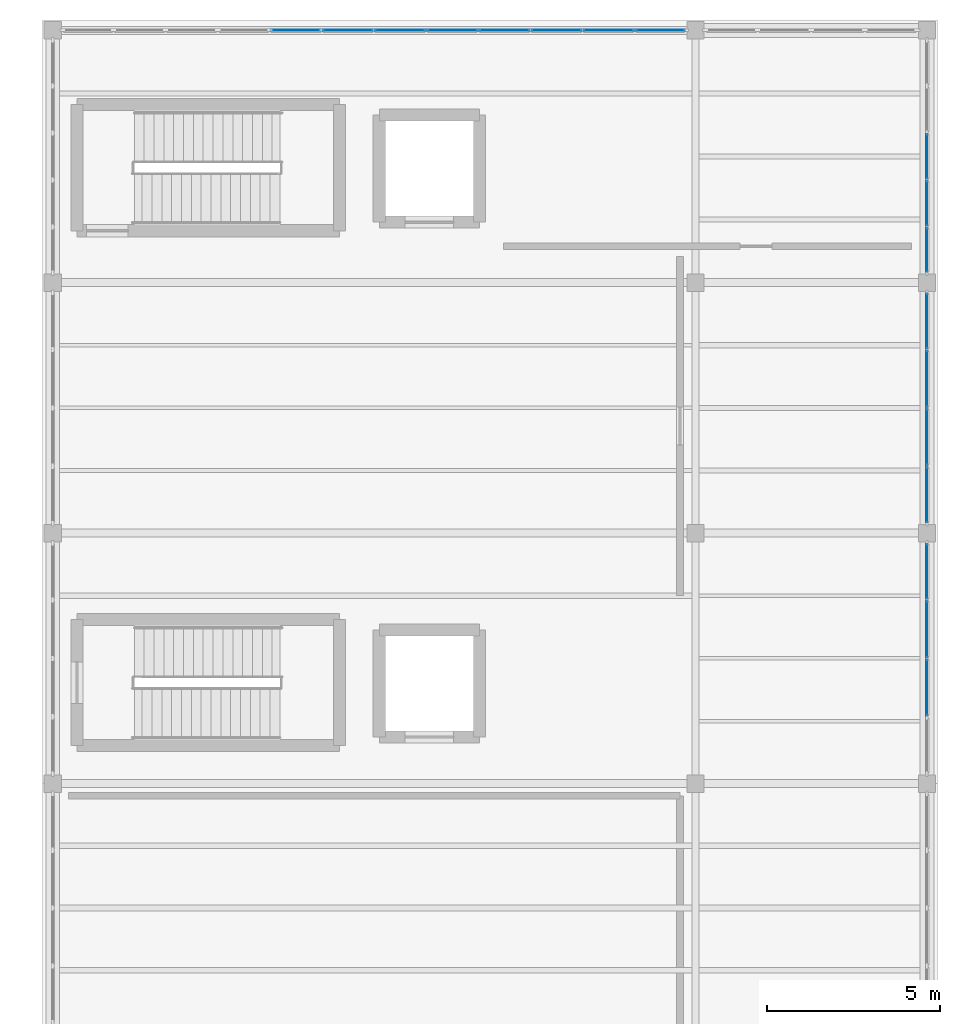
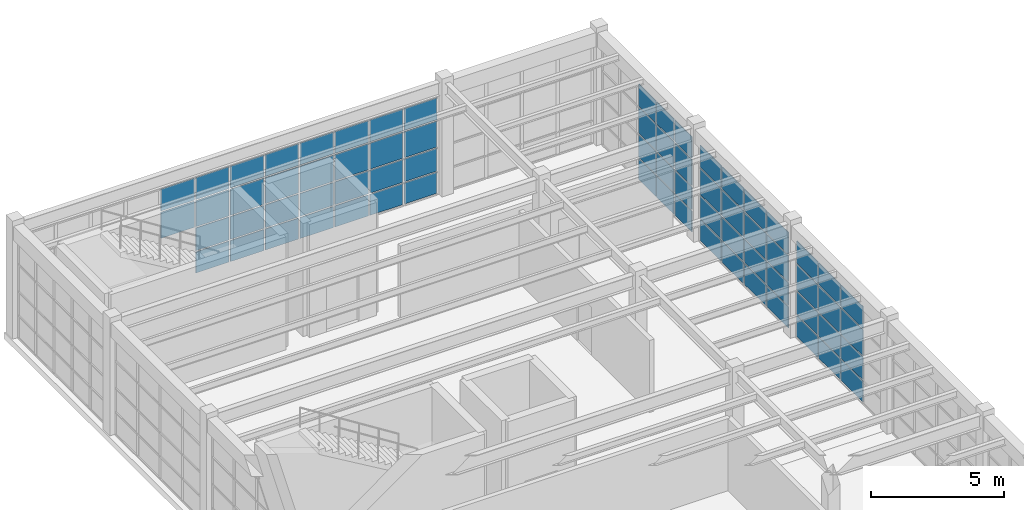
# One storey, part 83 of 103: 70 plates, 4 elements without a shape of their own.
"""IFC4 building model written with IfcOpenShell, lengths in metres."""

from ifc_helpers import new_model, si_unit, direction, frame, origin, origin_2d, place, context, subcontext, project, spatial, rectangle, extrude, material, layer, layer_set, type_object, element, aggregate, save


model = new_model("IFC4")

# Units and contexts
model_context = context("Model", 3, precision=1e-05, world=origin(), true_north=direction((0.0, 1.0)))
body_context = subcontext(model_context, "Body", "Model", "MODEL_VIEW")
ifc_project = project(units=[si_unit("LENGTHUNIT", "METRE"), si_unit("AREAUNIT", "SQUARE_METRE"), si_unit("VOLUMEUNIT", "CUBIC_METRE"), si_unit("PLANEANGLEUNIT", "RADIAN"), si_unit("MASSUNIT", "GRAM", prefix="KILO")], contexts=[model_context])

# Site, building, storey
site_placement = place(None, origin())
site = spatial("IfcSite", under=ifc_project, at=site_placement, CompositionType="ELEMENT")
building_placement = place(site_placement, origin())
building = spatial("IfcBuilding", under=site, at=building_placement, Name="Candilejo Ridge Gondola Terminal", CompositionType="ELEMENT")
storey_placement = place(building_placement, frame((0.0, 0.0, 9.0)))
storey = spatial("IfcBuildingStorey", under=building, at=storey_placement, Name="L02", CompositionType="ELEMENT", Elevation=9.0)

# Curtain wall, plates
ifc_material_1 = material(Name="Anodised aluminium AA 6063-T6", Category="aluminium")
ifc_layer_1 = layer(ifc_material_1, 0.169921875)
ifc_layer_set_1 = layer_set([ifc_layer_1], Name="ARC-CW-TOWER-3000-675X449")
curtain_wall_type_1 = type_object("IfcCurtainWallType", Name="ARC-CW-TOWER-3000-675X449", PredefinedType="NOTDEFINED", material=ifc_layer_set_1)
curtain_wall_1_placement = place(storey_placement, origin())
curtain_wall_1 = element("IfcCurtainWall", 1, at=curtain_wall_1_placement, inside=storey, type_object=curtain_wall_type_1, Name="Curtain wall V5 L02-187", PredefinedType="NOTDEFINED")
ifc_material_2 = material(Name="Low-E laminated double glazing 6+12A+6+1.52PVB+6 mm", Category="glass")
ifc_layer_2 = layer(ifc_material_2, 0.028076171875)
ifc_layer_set_2 = layer_set([ifc_layer_2], Name="ARC-CW-GLAZ-PANEL")
plate_type = type_object("IfcPlateType", Name="ARC-CW-GLAZ-PANEL", PredefinedType="CURTAIN_PANEL", material=ifc_layer_set_2)
plate_1_placement = place(storey_placement, frame((175.300048828125, 101.831298828125, 0.06005859375), z_axis=(0.0, 0.0, 1.0), x_axis=(0.0, 1.0, 0.0)))
plate_1 = element("IfcPlate", 2, at=plate_1_placement, type_object=plate_type, Name="CW-67X44 panel 2.1", PredefinedType="CURTAIN_PANEL", context=body_context, shape_type="SweptSolid", body=[
    extrude(rectangle(XDim=1.62255859375, YDim=0.028076171875, at=origin_2d()), origin(), (0.0, 0.0, 1.0), 0.9599609375),
])
plate_2_placement = place(storey_placement, frame((175.300048828125, 101.831298828125, 1.080078125), z_axis=(0.0, 0.0, 1.0), x_axis=(0.0, 1.0, 0.0)))
plate_2 = element("IfcPlate", 3, at=plate_2_placement, type_object=plate_type, Name="CW-67X44 panel 2.2", PredefinedType="CURTAIN_PANEL", context=body_context, shape_type="SweptSolid", body=[
    extrude(rectangle(XDim=1.62255859375, YDim=0.028076171875, at=origin_2d()), origin(), (0.0, 0.0, 1.0), 1.0400390625),
])
plate_3_placement = place(storey_placement, frame((175.300048828125, 101.831298828125, 2.179931640625), z_axis=(0.0, 0.0, 1.0), x_axis=(0.0, 1.0, 0.0)))
plate_3 = element("IfcPlate", 4, at=plate_3_placement, type_object=plate_type, Name="CW-67X44 panel 2.3", PredefinedType="CURTAIN_PANEL", context=body_context, shape_type="SweptSolid", body=[
    extrude(rectangle(XDim=1.62255859375, YDim=0.028076171875, at=origin_2d()), origin(), (0.0, 0.0, 1.0), 1.18994140625),
])
plate_4_placement = place(storey_placement, frame((175.300048828125, 101.831298828125, 3.429931640625), z_axis=(0.0, 0.0, 1.0), x_axis=(0.0, 1.0, 0.0)))
plate_4 = element("IfcPlate", 5, at=plate_4_placement, type_object=plate_type, Name="CW-67X44 panel 2.4", PredefinedType="CURTAIN_PANEL", context=body_context, shape_type="SweptSolid", body=[
    extrude(rectangle(XDim=1.62255859375, YDim=0.028076171875, at=origin_2d()), origin(), (0.0, 0.0, 1.0), 1.0),
])
plate_5_placement = place(storey_placement, frame((175.300048828125, 103.518798828125, 0.06005859375), z_axis=(0.0, 0.0, 1.0), x_axis=(0.0, 1.0, 0.0)))
plate_5 = element("IfcPlate", 6, at=plate_5_placement, type_object=plate_type, Name="CW-67X44 panel 3.1", PredefinedType="CURTAIN_PANEL", context=body_context, shape_type="SweptSolid", body=[
    extrude(rectangle(XDim=1.62255859375, YDim=0.028076171875, at=origin_2d()), origin(), (0.0, 0.0, 1.0), 0.9599609375),
])
plate_6_placement = place(storey_placement, frame((175.300048828125, 103.518798828125, 1.080078125), z_axis=(0.0, 0.0, 1.0), x_axis=(0.0, 1.0, 0.0)))
plate_6 = element("IfcPlate", 7, at=plate_6_placement, type_object=plate_type, Name="CW-67X44 panel 3.2", PredefinedType="CURTAIN_PANEL", context=body_context, shape_type="SweptSolid", body=[
    extrude(rectangle(XDim=1.62255859375, YDim=0.028076171875, at=origin_2d()), origin(), (0.0, 0.0, 1.0), 1.0400390625),
])
plate_7_placement = place(storey_placement, frame((175.300048828125, 103.518798828125, 2.179931640625), z_axis=(0.0, 0.0, 1.0), x_axis=(0.0, 1.0, 0.0)))
plate_7 = element("IfcPlate", 8, at=plate_7_placement, type_object=plate_type, Name="CW-67X44 panel 3.3", PredefinedType="CURTAIN_PANEL", context=body_context, shape_type="SweptSolid", body=[
    extrude(rectangle(XDim=1.62255859375, YDim=0.028076171875, at=origin_2d()), origin(), (0.0, 0.0, 1.0), 1.18994140625),
])
plate_8_placement = place(storey_placement, frame((175.300048828125, 103.518798828125, 3.429931640625), z_axis=(0.0, 0.0, 1.0), x_axis=(0.0, 1.0, 0.0)))
plate_8 = element("IfcPlate", 9, at=plate_8_placement, type_object=plate_type, Name="CW-67X44 panel 3.4", PredefinedType="CURTAIN_PANEL", context=body_context, shape_type="SweptSolid", body=[
    extrude(rectangle(XDim=1.62255859375, YDim=0.028076171875, at=origin_2d()), origin(), (0.0, 0.0, 1.0), 1.0),
])
plate_9_placement = place(storey_placement, frame((175.300048828125, 105.18994140625, 0.06005859375), z_axis=(0.0, 0.0, 1.0), x_axis=(0.0, 1.0, 0.0)))
plate_9 = element("IfcPlate", 10, at=plate_9_placement, type_object=plate_type, Name="CW-67X44 panel 4.1", PredefinedType="CURTAIN_PANEL", context=body_context, shape_type="SweptSolid", body=[
    extrude(rectangle(XDim=1.590087890625, YDim=0.028076171875, at=origin_2d()), origin(), (0.0, 0.0, 1.0), 0.9599609375),
])
plate_10_placement = place(storey_placement, frame((175.300048828125, 105.18994140625, 1.080078125), z_axis=(0.0, 0.0, 1.0), x_axis=(0.0, 1.0, 0.0)))
plate_10 = element("IfcPlate", 11, at=plate_10_placement, type_object=plate_type, Name="CW-67X44 panel 4.2", PredefinedType="CURTAIN_PANEL", context=body_context, shape_type="SweptSolid", body=[
    extrude(rectangle(XDim=1.590087890625, YDim=0.028076171875, at=origin_2d()), origin(), (0.0, 0.0, 1.0), 1.0400390625),
])
plate_11_placement = place(storey_placement, frame((175.300048828125, 105.18994140625, 2.179931640625), z_axis=(0.0, 0.0, 1.0), x_axis=(0.0, 1.0, 0.0)))
plate_11 = element("IfcPlate", 12, at=plate_11_placement, type_object=plate_type, Name="CW-67X44 panel 4.3", PredefinedType="CURTAIN_PANEL", context=body_context, shape_type="SweptSolid", body=[
    extrude(rectangle(XDim=1.590087890625, YDim=0.028076171875, at=origin_2d()), origin(), (0.0, 0.0, 1.0), 1.18994140625),
])
plate_12_placement = place(storey_placement, frame((175.300048828125, 105.18994140625, 3.429931640625), z_axis=(0.0, 0.0, 1.0), x_axis=(0.0, 1.0, 0.0)))
plate_12 = element("IfcPlate", 13, at=plate_12_placement, type_object=plate_type, Name="CW-67X44 panel 4.4", PredefinedType="CURTAIN_PANEL", context=body_context, shape_type="SweptSolid", body=[
    extrude(rectangle(XDim=1.590087890625, YDim=0.028076171875, at=origin_2d()), origin(), (0.0, 0.0, 1.0), 1.0),
])
aggregate(curtain_wall_1, [plate_1, plate_2, plate_3, plate_4, plate_5, plate_6, plate_7, plate_8, plate_9, plate_10, plate_11, plate_12])

curtain_wall_2_placement = place(storey_placement, origin())
curtain_wall_2 = element("IfcCurtainWall", 14, at=curtain_wall_2_placement, inside=storey, type_object=curtain_wall_type_1, Name="Curtain wall V5 L02-189", PredefinedType="NOTDEFINED")
plate_13_placement = place(storey_placement, frame((175.300048828125, 107.409912109375, 0.06005859375), z_axis=(0.0, 0.0, 1.0), x_axis=(0.0, 1.0, 0.0)))
plate_13 = element("IfcPlate", 15, at=plate_13_placement, type_object=plate_type, Name="CW-67X44 panel 1.1", PredefinedType="CURTAIN_PANEL", context=body_context, shape_type="SweptSolid", body=[
    extrude(rectangle(XDim=1.590087890625, YDim=0.028076171875, at=origin_2d()), origin(), (0.0, 0.0, 1.0), 0.9599609375),
])
plate_14_placement = place(storey_placement, frame((175.300048828125, 107.409912109375, 1.080078125), z_axis=(0.0, 0.0, 1.0), x_axis=(0.0, 1.0, 0.0)))
plate_14 = element("IfcPlate", 16, at=plate_14_placement, type_object=plate_type, Name="CW-67X44 panel 1.2", PredefinedType="CURTAIN_PANEL", context=body_context, shape_type="SweptSolid", body=[
    extrude(rectangle(XDim=1.590087890625, YDim=0.028076171875, at=origin_2d()), origin(), (0.0, 0.0, 1.0), 1.0400390625),
])
plate_15_placement = place(storey_placement, frame((175.300048828125, 107.409912109375, 2.179931640625), z_axis=(0.0, 0.0, 1.0), x_axis=(0.0, 1.0, 0.0)))
plate_15 = element("IfcPlate", 17, at=plate_15_placement, type_object=plate_type, Name="CW-67X44 panel 1.3", PredefinedType="CURTAIN_PANEL", context=body_context, shape_type="SweptSolid", body=[
    extrude(rectangle(XDim=1.590087890625, YDim=0.028076171875, at=origin_2d()), origin(), (0.0, 0.0, 1.0), 1.18994140625),
])
plate_16_placement = place(storey_placement, frame((175.300048828125, 107.409912109375, 3.429931640625), z_axis=(0.0, 0.0, 1.0), x_axis=(0.0, 1.0, 0.0)))
plate_16 = element("IfcPlate", 18, at=plate_16_placement, type_object=plate_type, Name="CW-67X44 panel 1.4", PredefinedType="CURTAIN_PANEL", context=body_context, shape_type="SweptSolid", body=[
    extrude(rectangle(XDim=1.590087890625, YDim=0.028076171875, at=origin_2d()), origin(), (0.0, 0.0, 1.0), 1.0),
])
plate_17_placement = place(storey_placement, frame((175.300048828125, 109.081298828125, 0.06005859375), z_axis=(0.0, 0.0, 1.0), x_axis=(0.0, 1.0, 0.0)))
plate_17 = element("IfcPlate", 19, at=plate_17_placement, type_object=plate_type, Name="CW-67X44 panel 2.1", PredefinedType="CURTAIN_PANEL", context=body_context, shape_type="SweptSolid", body=[
    extrude(rectangle(XDim=1.62255859375, YDim=0.028076171875, at=origin_2d()), origin(), (0.0, 0.0, 1.0), 0.9599609375),
])
plate_18_placement = place(storey_placement, frame((175.300048828125, 109.081298828125, 1.080078125), z_axis=(0.0, 0.0, 1.0), x_axis=(0.0, 1.0, 0.0)))
plate_18 = element("IfcPlate", 20, at=plate_18_placement, type_object=plate_type, Name="CW-67X44 panel 2.2", PredefinedType="CURTAIN_PANEL", context=body_context, shape_type="SweptSolid", body=[
    extrude(rectangle(XDim=1.62255859375, YDim=0.028076171875, at=origin_2d()), origin(), (0.0, 0.0, 1.0), 1.0400390625),
])
plate_19_placement = place(storey_placement, frame((175.300048828125, 109.081298828125, 2.179931640625), z_axis=(0.0, 0.0, 1.0), x_axis=(0.0, 1.0, 0.0)))
plate_19 = element("IfcPlate", 21, at=plate_19_placement, type_object=plate_type, Name="CW-67X44 panel 2.3", PredefinedType="CURTAIN_PANEL", context=body_context, shape_type="SweptSolid", body=[
    extrude(rectangle(XDim=1.62255859375, YDim=0.028076171875, at=origin_2d()), origin(), (0.0, 0.0, 1.0), 1.18994140625),
])
plate_20_placement = place(storey_placement, frame((175.300048828125, 109.081298828125, 3.429931640625), z_axis=(0.0, 0.0, 1.0), x_axis=(0.0, 1.0, 0.0)))
plate_20 = element("IfcPlate", 22, at=plate_20_placement, type_object=plate_type, Name="CW-67X44 panel 2.4", PredefinedType="CURTAIN_PANEL", context=body_context, shape_type="SweptSolid", body=[
    extrude(rectangle(XDim=1.62255859375, YDim=0.028076171875, at=origin_2d()), origin(), (0.0, 0.0, 1.0), 1.0),
])
plate_21_placement = place(storey_placement, frame((175.300048828125, 110.768798828125, 0.06005859375), z_axis=(0.0, 0.0, 1.0), x_axis=(0.0, 1.0, 0.0)))
plate_21 = element("IfcPlate", 23, at=plate_21_placement, type_object=plate_type, Name="CW-67X44 panel 3.1", PredefinedType="CURTAIN_PANEL", context=body_context, shape_type="SweptSolid", body=[
    extrude(rectangle(XDim=1.62255859375, YDim=0.028076171875, at=origin_2d()), origin(), (0.0, 0.0, 1.0), 0.9599609375),
])
plate_22_placement = place(storey_placement, frame((175.300048828125, 110.768798828125, 1.080078125), z_axis=(0.0, 0.0, 1.0), x_axis=(0.0, 1.0, 0.0)))
plate_22 = element("IfcPlate", 24, at=plate_22_placement, type_object=plate_type, Name="CW-67X44 panel 3.2", PredefinedType="CURTAIN_PANEL", context=body_context, shape_type="SweptSolid", body=[
    extrude(rectangle(XDim=1.62255859375, YDim=0.028076171875, at=origin_2d()), origin(), (0.0, 0.0, 1.0), 1.0400390625),
])
plate_23_placement = place(storey_placement, frame((175.300048828125, 110.768798828125, 2.179931640625), z_axis=(0.0, 0.0, 1.0), x_axis=(0.0, 1.0, 0.0)))
plate_23 = element("IfcPlate", 25, at=plate_23_placement, type_object=plate_type, Name="CW-67X44 panel 3.3", PredefinedType="CURTAIN_PANEL", context=body_context, shape_type="SweptSolid", body=[
    extrude(rectangle(XDim=1.62255859375, YDim=0.028076171875, at=origin_2d()), origin(), (0.0, 0.0, 1.0), 1.18994140625),
])
plate_24_placement = place(storey_placement, frame((175.300048828125, 110.768798828125, 3.429931640625), z_axis=(0.0, 0.0, 1.0), x_axis=(0.0, 1.0, 0.0)))
plate_24 = element("IfcPlate", 26, at=plate_24_placement, type_object=plate_type, Name="CW-67X44 panel 3.4", PredefinedType="CURTAIN_PANEL", context=body_context, shape_type="SweptSolid", body=[
    extrude(rectangle(XDim=1.62255859375, YDim=0.028076171875, at=origin_2d()), origin(), (0.0, 0.0, 1.0), 1.0),
])
plate_25_placement = place(storey_placement, frame((175.300048828125, 112.43994140625, 0.06005859375), z_axis=(0.0, 0.0, 1.0), x_axis=(0.0, 1.0, 0.0)))
plate_25 = element("IfcPlate", 27, at=plate_25_placement, type_object=plate_type, Name="CW-67X44 panel 4.1", PredefinedType="CURTAIN_PANEL", context=body_context, shape_type="SweptSolid", body=[
    extrude(rectangle(XDim=1.590087890625, YDim=0.028076171875, at=origin_2d()), origin(), (0.0, 0.0, 1.0), 0.9599609375),
])
plate_26_placement = place(storey_placement, frame((175.300048828125, 112.43994140625, 1.080078125), z_axis=(0.0, 0.0, 1.0), x_axis=(0.0, 1.0, 0.0)))
plate_26 = element("IfcPlate", 28, at=plate_26_placement, type_object=plate_type, Name="CW-67X44 panel 4.2", PredefinedType="CURTAIN_PANEL", context=body_context, shape_type="SweptSolid", body=[
    extrude(rectangle(XDim=1.590087890625, YDim=0.028076171875, at=origin_2d()), origin(), (0.0, 0.0, 1.0), 1.0400390625),
])
plate_27_placement = place(storey_placement, frame((175.300048828125, 112.43994140625, 2.179931640625), z_axis=(0.0, 0.0, 1.0), x_axis=(0.0, 1.0, 0.0)))
plate_27 = element("IfcPlate", 29, at=plate_27_placement, type_object=plate_type, Name="CW-67X44 panel 4.3", PredefinedType="CURTAIN_PANEL", context=body_context, shape_type="SweptSolid", body=[
    extrude(rectangle(XDim=1.590087890625, YDim=0.028076171875, at=origin_2d()), origin(), (0.0, 0.0, 1.0), 1.18994140625),
])
plate_28_placement = place(storey_placement, frame((175.300048828125, 112.43994140625, 3.429931640625), z_axis=(0.0, 0.0, 1.0), x_axis=(0.0, 1.0, 0.0)))
plate_28 = element("IfcPlate", 30, at=plate_28_placement, type_object=plate_type, Name="CW-67X44 panel 4.4", PredefinedType="CURTAIN_PANEL", context=body_context, shape_type="SweptSolid", body=[
    extrude(rectangle(XDim=1.590087890625, YDim=0.028076171875, at=origin_2d()), origin(), (0.0, 0.0, 1.0), 1.0),
])
aggregate(curtain_wall_2, [plate_13, plate_14, plate_15, plate_16, plate_17, plate_18, plate_19, plate_20, plate_21, plate_22, plate_23, plate_24, plate_25, plate_26, plate_27, plate_28])

ifc_material_3 = material(Name="Anodised aluminium AA 6063-T6", Category="aluminium")
ifc_layer_3 = layer(ifc_material_3, 0.169921875)
ifc_layer_set_3 = layer_set([ifc_layer_3], Name="ARC-CW-TOWER-3000-680X449")
curtain_wall_type_2 = type_object("IfcCurtainWallType", Name="ARC-CW-TOWER-3000-680X449", PredefinedType="NOTDEFINED", material=ifc_layer_set_3)
curtain_wall_3_placement = place(storey_placement, origin())
curtain_wall_3 = element("IfcCurtainWall", 31, at=curtain_wall_3_placement, inside=storey, type_object=curtain_wall_type_2, Name="Curtain wall V5 L02-191", PredefinedType="NOTDEFINED")
plate_29_placement = place(storey_placement, frame((175.300048828125, 114.496337890625, 0.06005859375), z_axis=(0.0, 0.0, 1.0), x_axis=(0.0, 1.0, 0.0)))
plate_29 = element("IfcPlate", 32, at=plate_29_placement, type_object=plate_type, Name="CW-68X44 panel 1.1", PredefinedType="CURTAIN_PANEL", context=body_context, shape_type="SweptSolid", body=[
    extrude(rectangle(XDim=1.262451171875, YDim=0.028076171875, at=origin_2d()), origin(), (0.0, 0.0, 1.0), 0.9599609375),
])
plate_30_placement = place(storey_placement, frame((175.300048828125, 114.496337890625, 1.080078125), z_axis=(0.0, 0.0, 1.0), x_axis=(0.0, 1.0, 0.0)))
plate_30 = element("IfcPlate", 33, at=plate_30_placement, type_object=plate_type, Name="CW-68X44 panel 1.2", PredefinedType="CURTAIN_PANEL", context=body_context, shape_type="SweptSolid", body=[
    extrude(rectangle(XDim=1.262451171875, YDim=0.028076171875, at=origin_2d()), origin(), (0.0, 0.0, 1.0), 1.0400390625),
])
plate_31_placement = place(storey_placement, frame((175.300048828125, 114.496337890625, 2.179931640625), z_axis=(0.0, 0.0, 1.0), x_axis=(0.0, 1.0, 0.0)))
plate_31 = element("IfcPlate", 34, at=plate_31_placement, type_object=plate_type, Name="CW-68X44 panel 1.3", PredefinedType="CURTAIN_PANEL", context=body_context, shape_type="SweptSolid", body=[
    extrude(rectangle(XDim=1.262451171875, YDim=0.028076171875, at=origin_2d()), origin(), (0.0, 0.0, 1.0), 1.18994140625),
])
plate_32_placement = place(storey_placement, frame((175.300048828125, 114.496337890625, 3.429931640625), z_axis=(0.0, 0.0, 1.0), x_axis=(0.0, 1.0, 0.0)))
plate_32 = element("IfcPlate", 35, at=plate_32_placement, type_object=plate_type, Name="CW-68X44 panel 1.4", PredefinedType="CURTAIN_PANEL", context=body_context, shape_type="SweptSolid", body=[
    extrude(rectangle(XDim=1.262451171875, YDim=0.028076171875, at=origin_2d()), origin(), (0.0, 0.0, 1.0), 1.0),
])
plate_33_placement = place(storey_placement, frame((175.300048828125, 115.840087890625, 0.06005859375), z_axis=(0.0, 0.0, 1.0), x_axis=(0.0, 1.0, 0.0)))
plate_33 = element("IfcPlate", 36, at=plate_33_placement, type_object=plate_type, Name="CW-68X44 panel 2.1", PredefinedType="CURTAIN_PANEL", context=body_context, shape_type="SweptSolid", body=[
    extrude(rectangle(XDim=1.294921875, YDim=0.028076171875, at=origin_2d()), origin(), (0.0, 0.0, 1.0), 0.9599609375),
])
plate_34_placement = place(storey_placement, frame((175.300048828125, 115.840087890625, 1.080078125), z_axis=(0.0, 0.0, 1.0), x_axis=(0.0, 1.0, 0.0)))
plate_34 = element("IfcPlate", 37, at=plate_34_placement, type_object=plate_type, Name="CW-68X44 panel 2.2", PredefinedType="CURTAIN_PANEL", context=body_context, shape_type="SweptSolid", body=[
    extrude(rectangle(XDim=1.294921875, YDim=0.028076171875, at=origin_2d()), origin(), (0.0, 0.0, 1.0), 1.0400390625),
])
plate_35_placement = place(storey_placement, frame((175.300048828125, 115.840087890625, 2.179931640625), z_axis=(0.0, 0.0, 1.0), x_axis=(0.0, 1.0, 0.0)))
plate_35 = element("IfcPlate", 38, at=plate_35_placement, type_object=plate_type, Name="CW-68X44 panel 2.3", PredefinedType="CURTAIN_PANEL", context=body_context, shape_type="SweptSolid", body=[
    extrude(rectangle(XDim=1.294921875, YDim=0.028076171875, at=origin_2d()), origin(), (0.0, 0.0, 1.0), 1.18994140625),
])
plate_36_placement = place(storey_placement, frame((175.300048828125, 115.840087890625, 3.429931640625), z_axis=(0.0, 0.0, 1.0), x_axis=(0.0, 1.0, 0.0)))
plate_36 = element("IfcPlate", 39, at=plate_36_placement, type_object=plate_type, Name="CW-68X44 panel 2.4", PredefinedType="CURTAIN_PANEL", context=body_context, shape_type="SweptSolid", body=[
    extrude(rectangle(XDim=1.294921875, YDim=0.028076171875, at=origin_2d()), origin(), (0.0, 0.0, 1.0), 1.0),
])
plate_37_placement = place(storey_placement, frame((175.300048828125, 117.199951171875, 0.06005859375), z_axis=(0.0, 0.0, 1.0), x_axis=(0.0, 1.0, 0.0)))
plate_37 = element("IfcPlate", 40, at=plate_37_placement, type_object=plate_type, Name="CW-68X44 panel 3.1", PredefinedType="CURTAIN_PANEL", context=body_context, shape_type="SweptSolid", body=[
    extrude(rectangle(XDim=1.294921875, YDim=0.028076171875, at=origin_2d()), origin(), (0.0, 0.0, 1.0), 0.9599609375),
])
plate_38_placement = place(storey_placement, frame((175.300048828125, 117.199951171875, 1.080078125), z_axis=(0.0, 0.0, 1.0), x_axis=(0.0, 1.0, 0.0)))
plate_38 = element("IfcPlate", 41, at=plate_38_placement, type_object=plate_type, Name="CW-68X44 panel 3.2", PredefinedType="CURTAIN_PANEL", context=body_context, shape_type="SweptSolid", body=[
    extrude(rectangle(XDim=1.294921875, YDim=0.028076171875, at=origin_2d()), origin(), (0.0, 0.0, 1.0), 1.0400390625),
])
plate_39_placement = place(storey_placement, frame((175.300048828125, 117.199951171875, 2.179931640625), z_axis=(0.0, 0.0, 1.0), x_axis=(0.0, 1.0, 0.0)))
plate_39 = element("IfcPlate", 42, at=plate_39_placement, type_object=plate_type, Name="CW-68X44 panel 3.3", PredefinedType="CURTAIN_PANEL", context=body_context, shape_type="SweptSolid", body=[
    extrude(rectangle(XDim=1.294921875, YDim=0.028076171875, at=origin_2d()), origin(), (0.0, 0.0, 1.0), 1.18994140625),
])
plate_40_placement = place(storey_placement, frame((175.300048828125, 117.199951171875, 3.429931640625), z_axis=(0.0, 0.0, 1.0), x_axis=(0.0, 1.0, 0.0)))
plate_40 = element("IfcPlate", 43, at=plate_40_placement, type_object=plate_type, Name="CW-68X44 panel 3.4", PredefinedType="CURTAIN_PANEL", context=body_context, shape_type="SweptSolid", body=[
    extrude(rectangle(XDim=1.294921875, YDim=0.028076171875, at=origin_2d()), origin(), (0.0, 0.0, 1.0), 1.0),
])
aggregate(curtain_wall_3, [plate_29, plate_30, plate_31, plate_32, plate_33, plate_34, plate_35, plate_36, plate_37, plate_38, plate_39, plate_40])

ifc_material_4 = material(Name="Anodised aluminium AA 6063-T6", Category="aluminium")
ifc_layer_4 = layer(ifc_material_4, 0.169921875)
ifc_layer_set_4 = layer_set([ifc_layer_4], Name="ARC-CW-TOWER-3000-1810X449")
curtain_wall_type_3 = type_object("IfcCurtainWallType", Name="ARC-CW-TOWER-3000-1810X449", PredefinedType="NOTDEFINED", material=ifc_layer_set_4)
curtain_wall_4_placement = place(storey_placement, origin())
curtain_wall_4 = element("IfcCurtainWall", 44, at=curtain_wall_4_placement, inside=storey, type_object=curtain_wall_type_3, Name="Curtain wall V5 L02-193", PredefinedType="NOTDEFINED")
plate_41_placement = place(storey_placement, frame((157.03759765625, 120.85009765625, 2.179931640625), z_axis=(0.0, 0.0, 1.0), x_axis=(1.0, 0.0, 0.0)))
plate_41 = element("IfcPlate", 45, at=plate_41_placement, type_object=plate_type, Name="CW-181X44 panel 5.3", PredefinedType="CURTAIN_PANEL", context=body_context, shape_type="SweptSolid", body=[
    extrude(rectangle(XDim=1.443359375, YDim=0.028076171875, at=origin_2d()), origin(), (0.0, 0.0, 1.0), 1.18994140625),
])
plate_42_placement = place(storey_placement, frame((157.03759765625, 120.85009765625, 3.429931640625), z_axis=(0.0, 0.0, 1.0), x_axis=(1.0, 0.0, 0.0)))
plate_42 = element("IfcPlate", 46, at=plate_42_placement, type_object=plate_type, Name="CW-181X44 panel 5.4", PredefinedType="CURTAIN_PANEL", context=body_context, shape_type="SweptSolid", body=[
    extrude(rectangle(XDim=1.443359375, YDim=0.028076171875, at=origin_2d()), origin(), (0.0, 0.0, 1.0), 1.0),
])
plate_43_placement = place(storey_placement, frame((158.5458984375, 120.85009765625, 0.06005859375), z_axis=(0.0, 0.0, 1.0), x_axis=(1.0, 0.0, 0.0)))
plate_43 = element("IfcPlate", 47, at=plate_43_placement, type_object=plate_type, Name="CW-181X44 panel 6.1", PredefinedType="CURTAIN_PANEL", context=body_context, shape_type="SweptSolid", body=[
    extrude(rectangle(XDim=1.443359375, YDim=0.028076171875, at=origin_2d()), origin(), (0.0, 0.0, 1.0), 0.9599609375),
])
plate_44_placement = place(storey_placement, frame((158.5458984375, 120.85009765625, 1.080078125), z_axis=(0.0, 0.0, 1.0), x_axis=(1.0, 0.0, 0.0)))
plate_44 = element("IfcPlate", 48, at=plate_44_placement, type_object=plate_type, Name="CW-181X44 panel 6.2", PredefinedType="CURTAIN_PANEL", context=body_context, shape_type="SweptSolid", body=[
    extrude(rectangle(XDim=1.443359375, YDim=0.028076171875, at=origin_2d()), origin(), (0.0, 0.0, 1.0), 1.0400390625),
])
plate_45_placement = place(storey_placement, frame((158.5458984375, 120.85009765625, 2.179931640625), z_axis=(0.0, 0.0, 1.0), x_axis=(1.0, 0.0, 0.0)))
plate_45 = element("IfcPlate", 49, at=plate_45_placement, type_object=plate_type, Name="CW-181X44 panel 6.3", PredefinedType="CURTAIN_PANEL", context=body_context, shape_type="SweptSolid", body=[
    extrude(rectangle(XDim=1.443359375, YDim=0.028076171875, at=origin_2d()), origin(), (0.0, 0.0, 1.0), 1.18994140625),
])
plate_46_placement = place(storey_placement, frame((158.5458984375, 120.85009765625, 3.429931640625), z_axis=(0.0, 0.0, 1.0), x_axis=(1.0, 0.0, 0.0)))
plate_46 = element("IfcPlate", 50, at=plate_46_placement, type_object=plate_type, Name="CW-181X44 panel 6.4", PredefinedType="CURTAIN_PANEL", context=body_context, shape_type="SweptSolid", body=[
    extrude(rectangle(XDim=1.443359375, YDim=0.028076171875, at=origin_2d()), origin(), (0.0, 0.0, 1.0), 1.0),
])
plate_47_placement = place(storey_placement, frame((160.05419921875, 120.85009765625, 0.06005859375), z_axis=(0.0, 0.0, 1.0), x_axis=(1.0, 0.0, 0.0)))
plate_47 = element("IfcPlate", 51, at=plate_47_placement, type_object=plate_type, Name="CW-181X44 panel 7.1", PredefinedType="CURTAIN_PANEL", context=body_context, shape_type="SweptSolid", body=[
    extrude(rectangle(XDim=1.443359375, YDim=0.028076171875, at=origin_2d()), origin(), (0.0, 0.0, 1.0), 0.9599609375),
])
plate_48_placement = place(storey_placement, frame((160.05419921875, 120.85009765625, 1.080078125), z_axis=(0.0, 0.0, 1.0), x_axis=(1.0, 0.0, 0.0)))
plate_48 = element("IfcPlate", 52, at=plate_48_placement, type_object=plate_type, Name="CW-181X44 panel 7.2", PredefinedType="CURTAIN_PANEL", context=body_context, shape_type="SweptSolid", body=[
    extrude(rectangle(XDim=1.443359375, YDim=0.028076171875, at=origin_2d()), origin(), (0.0, 0.0, 1.0), 1.0400390625),
])
plate_49_placement = place(storey_placement, frame((160.05419921875, 120.85009765625, 2.179931640625), z_axis=(0.0, 0.0, 1.0), x_axis=(1.0, 0.0, 0.0)))
plate_49 = element("IfcPlate", 53, at=plate_49_placement, type_object=plate_type, Name="CW-181X44 panel 7.3", PredefinedType="CURTAIN_PANEL", context=body_context, shape_type="SweptSolid", body=[
    extrude(rectangle(XDim=1.443359375, YDim=0.028076171875, at=origin_2d()), origin(), (0.0, 0.0, 1.0), 1.18994140625),
])
plate_50_placement = place(storey_placement, frame((160.05419921875, 120.85009765625, 3.429931640625), z_axis=(0.0, 0.0, 1.0), x_axis=(1.0, 0.0, 0.0)))
plate_50 = element("IfcPlate", 54, at=plate_50_placement, type_object=plate_type, Name="CW-181X44 panel 7.4", PredefinedType="CURTAIN_PANEL", context=body_context, shape_type="SweptSolid", body=[
    extrude(rectangle(XDim=1.443359375, YDim=0.028076171875, at=origin_2d()), origin(), (0.0, 0.0, 1.0), 1.0),
])
plate_51_placement = place(storey_placement, frame((161.5625, 120.85009765625, 0.06005859375), z_axis=(0.0, 0.0, 1.0), x_axis=(1.0, 0.0, 0.0)))
plate_51 = element("IfcPlate", 55, at=plate_51_placement, type_object=plate_type, Name="CW-181X44 panel 8.1", PredefinedType="CURTAIN_PANEL", context=body_context, shape_type="SweptSolid", body=[
    extrude(rectangle(XDim=1.443359375, YDim=0.028076171875, at=origin_2d()), origin(), (0.0, 0.0, 1.0), 0.9599609375),
])
plate_52_placement = place(storey_placement, frame((161.5625, 120.85009765625, 1.080078125), z_axis=(0.0, 0.0, 1.0), x_axis=(1.0, 0.0, 0.0)))
plate_52 = element("IfcPlate", 56, at=plate_52_placement, type_object=plate_type, Name="CW-181X44 panel 8.2", PredefinedType="CURTAIN_PANEL", context=body_context, shape_type="SweptSolid", body=[
    extrude(rectangle(XDim=1.443359375, YDim=0.028076171875, at=origin_2d()), origin(), (0.0, 0.0, 1.0), 1.0400390625),
])
plate_53_placement = place(storey_placement, frame((161.5625, 120.85009765625, 2.179931640625), z_axis=(0.0, 0.0, 1.0), x_axis=(1.0, 0.0, 0.0)))
plate_53 = element("IfcPlate", 57, at=plate_53_placement, type_object=plate_type, Name="CW-181X44 panel 8.3", PredefinedType="CURTAIN_PANEL", context=body_context, shape_type="SweptSolid", body=[
    extrude(rectangle(XDim=1.443359375, YDim=0.028076171875, at=origin_2d()), origin(), (0.0, 0.0, 1.0), 1.18994140625),
])
plate_54_placement = place(storey_placement, frame((161.5625, 120.85009765625, 3.429931640625), z_axis=(0.0, 0.0, 1.0), x_axis=(1.0, 0.0, 0.0)))
plate_54 = element("IfcPlate", 58, at=plate_54_placement, type_object=plate_type, Name="CW-181X44 panel 8.4", PredefinedType="CURTAIN_PANEL", context=body_context, shape_type="SweptSolid", body=[
    extrude(rectangle(XDim=1.443359375, YDim=0.028076171875, at=origin_2d()), origin(), (0.0, 0.0, 1.0), 1.0),
])
plate_55_placement = place(storey_placement, frame((163.07080078125, 120.85009765625, 0.06005859375), z_axis=(0.0, 0.0, 1.0), x_axis=(1.0, 0.0, 0.0)))
plate_55 = element("IfcPlate", 59, at=plate_55_placement, type_object=plate_type, Name="CW-181X44 panel 9.1", PredefinedType="CURTAIN_PANEL", context=body_context, shape_type="SweptSolid", body=[
    extrude(rectangle(XDim=1.443359375, YDim=0.028076171875, at=origin_2d()), origin(), (0.0, 0.0, 1.0), 0.9599609375),
])
plate_56_placement = place(storey_placement, frame((163.07080078125, 120.85009765625, 1.080078125), z_axis=(0.0, 0.0, 1.0), x_axis=(1.0, 0.0, 0.0)))
plate_56 = element("IfcPlate", 60, at=plate_56_placement, type_object=plate_type, Name="CW-181X44 panel 9.2", PredefinedType="CURTAIN_PANEL", context=body_context, shape_type="SweptSolid", body=[
    extrude(rectangle(XDim=1.443359375, YDim=0.028076171875, at=origin_2d()), origin(), (0.0, 0.0, 1.0), 1.0400390625),
])
plate_57_placement = place(storey_placement, frame((163.07080078125, 120.85009765625, 2.179931640625), z_axis=(0.0, 0.0, 1.0), x_axis=(1.0, 0.0, 0.0)))
plate_57 = element("IfcPlate", 61, at=plate_57_placement, type_object=plate_type, Name="CW-181X44 panel 9.3", PredefinedType="CURTAIN_PANEL", context=body_context, shape_type="SweptSolid", body=[
    extrude(rectangle(XDim=1.443359375, YDim=0.028076171875, at=origin_2d()), origin(), (0.0, 0.0, 1.0), 1.18994140625),
])
plate_58_placement = place(storey_placement, frame((163.07080078125, 120.85009765625, 3.429931640625), z_axis=(0.0, 0.0, 1.0), x_axis=(1.0, 0.0, 0.0)))
plate_58 = element("IfcPlate", 62, at=plate_58_placement, type_object=plate_type, Name="CW-181X44 panel 9.4", PredefinedType="CURTAIN_PANEL", context=body_context, shape_type="SweptSolid", body=[
    extrude(rectangle(XDim=1.443359375, YDim=0.028076171875, at=origin_2d()), origin(), (0.0, 0.0, 1.0), 1.0),
])
plate_59_placement = place(storey_placement, frame((164.5791015625, 120.85009765625, 0.06005859375), z_axis=(0.0, 0.0, 1.0), x_axis=(1.0, 0.0, 0.0)))
plate_59 = element("IfcPlate", 63, at=plate_59_placement, type_object=plate_type, Name="CW-181X44 panel 10.1", PredefinedType="CURTAIN_PANEL", context=body_context, shape_type="SweptSolid", body=[
    extrude(rectangle(XDim=1.443359375, YDim=0.028076171875, at=origin_2d()), origin(), (0.0, 0.0, 1.0), 0.9599609375),
])
plate_60_placement = place(storey_placement, frame((164.5791015625, 120.85009765625, 1.080078125), z_axis=(0.0, 0.0, 1.0), x_axis=(1.0, 0.0, 0.0)))
plate_60 = element("IfcPlate", 64, at=plate_60_placement, type_object=plate_type, Name="CW-181X44 panel 10.2", PredefinedType="CURTAIN_PANEL", context=body_context, shape_type="SweptSolid", body=[
    extrude(rectangle(XDim=1.443359375, YDim=0.028076171875, at=origin_2d()), origin(), (0.0, 0.0, 1.0), 1.0400390625),
])
plate_61_placement = place(storey_placement, frame((164.5791015625, 120.85009765625, 2.179931640625), z_axis=(0.0, 0.0, 1.0), x_axis=(1.0, 0.0, 0.0)))
plate_61 = element("IfcPlate", 65, at=plate_61_placement, type_object=plate_type, Name="CW-181X44 panel 10.3", PredefinedType="CURTAIN_PANEL", context=body_context, shape_type="SweptSolid", body=[
    extrude(rectangle(XDim=1.443359375, YDim=0.028076171875, at=origin_2d()), origin(), (0.0, 0.0, 1.0), 1.18994140625),
])
plate_62_placement = place(storey_placement, frame((164.5791015625, 120.85009765625, 3.429931640625), z_axis=(0.0, 0.0, 1.0), x_axis=(1.0, 0.0, 0.0)))
plate_62 = element("IfcPlate", 66, at=plate_62_placement, type_object=plate_type, Name="CW-181X44 panel 10.4", PredefinedType="CURTAIN_PANEL", context=body_context, shape_type="SweptSolid", body=[
    extrude(rectangle(XDim=1.443359375, YDim=0.028076171875, at=origin_2d()), origin(), (0.0, 0.0, 1.0), 1.0),
])
plate_63_placement = place(storey_placement, frame((166.08740234375, 120.85009765625, 0.06005859375), z_axis=(0.0, 0.0, 1.0), x_axis=(1.0, 0.0, 0.0)))
plate_63 = element("IfcPlate", 67, at=plate_63_placement, type_object=plate_type, Name="CW-181X44 panel 11.1", PredefinedType="CURTAIN_PANEL", context=body_context, shape_type="SweptSolid", body=[
    extrude(rectangle(XDim=1.443359375, YDim=0.028076171875, at=origin_2d()), origin(), (0.0, 0.0, 1.0), 0.9599609375),
])
plate_64_placement = place(storey_placement, frame((166.08740234375, 120.85009765625, 1.080078125), z_axis=(0.0, 0.0, 1.0), x_axis=(1.0, 0.0, 0.0)))
plate_64 = element("IfcPlate", 68, at=plate_64_placement, type_object=plate_type, Name="CW-181X44 panel 11.2", PredefinedType="CURTAIN_PANEL", context=body_context, shape_type="SweptSolid", body=[
    extrude(rectangle(XDim=1.443359375, YDim=0.028076171875, at=origin_2d()), origin(), (0.0, 0.0, 1.0), 1.0400390625),
])
plate_65_placement = place(storey_placement, frame((166.08740234375, 120.85009765625, 2.179931640625), z_axis=(0.0, 0.0, 1.0), x_axis=(1.0, 0.0, 0.0)))
plate_65 = element("IfcPlate", 69, at=plate_65_placement, type_object=plate_type, Name="CW-181X44 panel 11.3", PredefinedType="CURTAIN_PANEL", context=body_context, shape_type="SweptSolid", body=[
    extrude(rectangle(XDim=1.443359375, YDim=0.028076171875, at=origin_2d()), origin(), (0.0, 0.0, 1.0), 1.18994140625),
])
plate_66_placement = place(storey_placement, frame((166.08740234375, 120.85009765625, 3.429931640625), z_axis=(0.0, 0.0, 1.0), x_axis=(1.0, 0.0, 0.0)))
plate_66 = element("IfcPlate", 70, at=plate_66_placement, type_object=plate_type, Name="CW-181X44 panel 11.4", PredefinedType="CURTAIN_PANEL", context=body_context, shape_type="SweptSolid", body=[
    extrude(rectangle(XDim=1.443359375, YDim=0.028076171875, at=origin_2d()), origin(), (0.0, 0.0, 1.0), 1.0),
])
plate_67_placement = place(storey_placement, frame((167.57958984375, 120.85009765625, 0.06005859375), z_axis=(0.0, 0.0, 1.0), x_axis=(1.0, 0.0, 0.0)))
plate_67 = element("IfcPlate", 71, at=plate_67_placement, type_object=plate_type, Name="CW-181X44 panel 12.1", PredefinedType="CURTAIN_PANEL", context=body_context, shape_type="SweptSolid", body=[
    extrude(rectangle(XDim=1.410888671875, YDim=0.028076171875, at=origin_2d()), origin(), (0.0, 0.0, 1.0), 0.9599609375),
])
plate_68_placement = place(storey_placement, frame((167.57958984375, 120.85009765625, 1.080078125), z_axis=(0.0, 0.0, 1.0), x_axis=(1.0, 0.0, 0.0)))
plate_68 = element("IfcPlate", 72, at=plate_68_placement, type_object=plate_type, Name="CW-181X44 panel 12.2", PredefinedType="CURTAIN_PANEL", context=body_context, shape_type="SweptSolid", body=[
    extrude(rectangle(XDim=1.410888671875, YDim=0.028076171875, at=origin_2d()), origin(), (0.0, 0.0, 1.0), 1.0400390625),
])
plate_69_placement = place(storey_placement, frame((167.57958984375, 120.85009765625, 2.179931640625), z_axis=(0.0, 0.0, 1.0), x_axis=(1.0, 0.0, 0.0)))
plate_69 = element("IfcPlate", 73, at=plate_69_placement, type_object=plate_type, Name="CW-181X44 panel 12.3", PredefinedType="CURTAIN_PANEL", context=body_context, shape_type="SweptSolid", body=[
    extrude(rectangle(XDim=1.410888671875, YDim=0.028076171875, at=origin_2d()), origin(), (0.0, 0.0, 1.0), 1.18994140625),
])
plate_70_placement = place(storey_placement, frame((167.57958984375, 120.85009765625, 3.429931640625), z_axis=(0.0, 0.0, 1.0), x_axis=(1.0, 0.0, 0.0)))
plate_70 = element("IfcPlate", 74, at=plate_70_placement, type_object=plate_type, Name="CW-181X44 panel 12.4", PredefinedType="CURTAIN_PANEL", context=body_context, shape_type="SweptSolid", body=[
    extrude(rectangle(XDim=1.410888671875, YDim=0.028076171875, at=origin_2d()), origin(), (0.0, 0.0, 1.0), 1.0),
])
aggregate(curtain_wall_4, [plate_41, plate_42, plate_43, plate_44, plate_45, plate_46, plate_47, plate_48, plate_49, plate_50, plate_51, plate_52, plate_53, plate_54, plate_55, plate_56, plate_57, plate_58, plate_59, plate_60, plate_61, plate_62, plate_63, plate_64, plate_65, plate_66, plate_67, plate_68, plate_69, plate_70])

save(model, "model.ifc")
